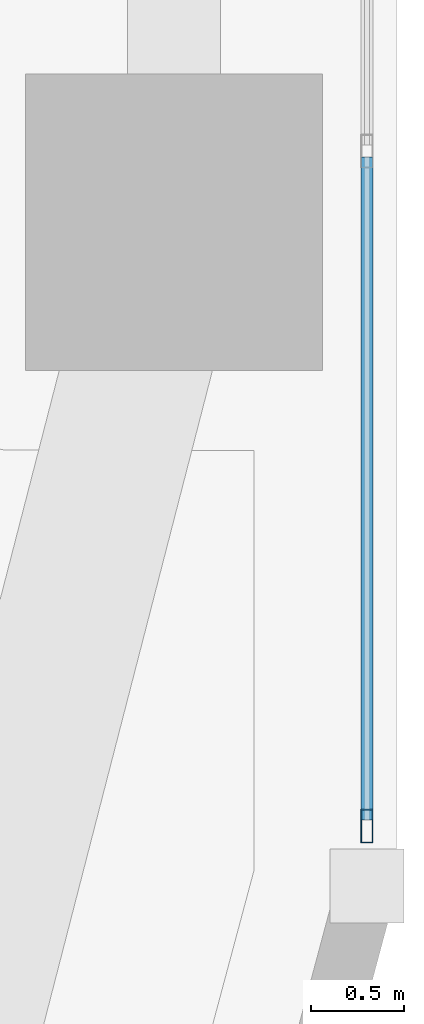
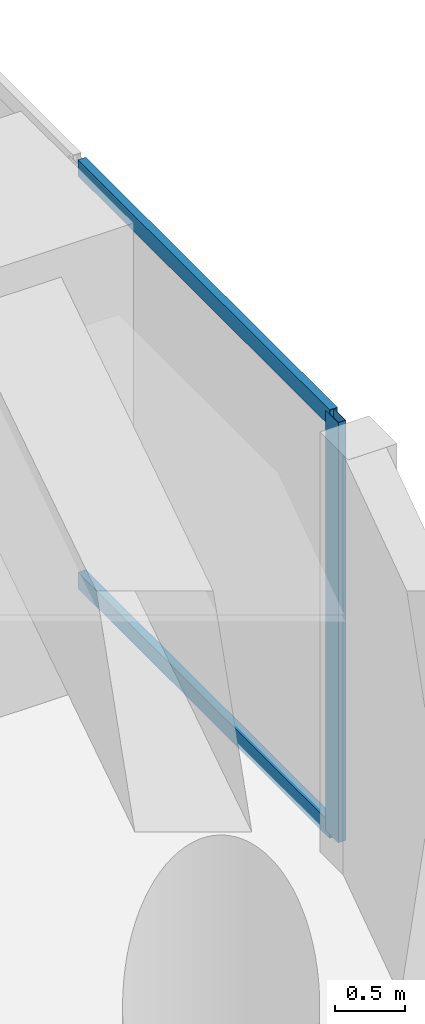
# One storey, part 4 of 28: 3 members, 1 element without a shape of its own.
"""IFC4 building model written with IfcOpenShell, lengths in metres."""

from ifc_helpers import new_model, si_unit, direction, frame, origin, origin_2d, place, context, subcontext, project, spatial, hollow_rectangle, extrude, material, layer, layer_set, material_profile, profile_set, type_object, element, aggregate, save


model = new_model("IFC4")

# Units and contexts
model_context = context("Model", 3, precision=1e-05, world=origin(), true_north=direction((0.0, 1.0)))
body_context = subcontext(model_context, "Body", "Model", "MODEL_VIEW")
ifc_project = project(units=[si_unit("LENGTHUNIT", "METRE"), si_unit("AREAUNIT", "SQUARE_METRE"), si_unit("VOLUMEUNIT", "CUBIC_METRE"), si_unit("PLANEANGLEUNIT", "RADIAN"), si_unit("MASSUNIT", "GRAM", prefix="KILO")], contexts=[model_context])

# Site, building, storey
site_placement = place(None, origin())
site = spatial("IfcSite", under=ifc_project, at=site_placement, CompositionType="ELEMENT")
building_placement = place(site_placement, origin())
building = spatial("IfcBuilding", under=site, at=building_placement, Name="Kiyonajd Concourse Tower", CompositionType="ELEMENT")
storey_placement = place(building_placement, frame((0.0, 0.0, 41.10009765625)))
storey = spatial("IfcBuildingStorey", under=building, at=storey_placement, Name="L11", CompositionType="ELEMENT", Elevation=41.10009765625)

# Curtain wall, members
ifc_material = material(Name="Thermally Broken Anodised Aluminium", Category="aluminium")
ifc_layer = layer(ifc_material, 0.179931640625)
ifc_layer_set = layer_set([ifc_layer], Name="Thermally Broken Anodised Aluminium")
curtain_wall_type = type_object("IfcCurtainWallType", Name="CW-SYS-02", PredefinedType="NOTDEFINED", material=ifc_layer_set)
curtain_wall_placement = place(storey_placement, origin())
curtain_wall = element("IfcCurtainWall", 1, at=curtain_wall_placement, inside=storey, type_object=curtain_wall_type, Name="L11 Unitised Curtain Wall CW2", PredefinedType="NOTDEFINED")
ifc_material_profile_1 = material_profile(ifc_material, hollow_rectangle(XDim=0.06494140625, YDim=0.179931640625, WallThickness=0.00390625, at=origin_2d()), Name="MULL-65x180")
ifc_profile_set_1 = profile_set([ifc_material_profile_1], Name="Thermally Broken Anodised Aluminium")
member_type_1 = type_object("IfcMemberType", Name="MB-CW-MULL1", PredefinedType="MULLION", material=ifc_profile_set_1)
member_1_placement = place(storey_placement, frame((79.0400390625, 15.343505859375, 0.0), z_axis=(0.0, 0.0, 1.0), x_axis=(1.0, 0.0, 0.0)))
member_1 = element("IfcMember", 2, at=member_1_placement, type_object=member_type_1, Name="CW2 mullion 7", PredefinedType="MULLION", context=body_context, shape_type="SweptSolid", body=[
    extrude(hollow_rectangle(XDim=0.06494140625, YDim=0.179931640625, WallThickness=0.00390625, at=origin_2d()), origin(), (0.0, 0.0, 1.0), 3.639892578125),
])
ifc_material_profile_2 = material_profile(ifc_material, hollow_rectangle(XDim=0.06494140625, YDim=0.139892578125, WallThickness=0.00390625, at=origin_2d()), Name="TRAN-65x140")
ifc_profile_set_2 = profile_set([ifc_material_profile_2], Name="Thermally Broken Anodised Aluminium")
member_type_2 = type_object("IfcMemberType", Name="MB-CW-TRAN1", PredefinedType="USERDEFINED", material=ifc_profile_set_2)
member_2_placement = place(storey_placement, frame((79.0400390625, 18.95166015625, 0.032470703125), z_axis=(0.0, -1.0, 0.0), x_axis=(1.0, 0.0, 0.0)))
member_2 = element("IfcMember", 3, at=member_2_placement, type_object=member_type_2, Name="CW2 transom 6.1", ObjectType="TRANSOM", PredefinedType="USERDEFINED", context=body_context, shape_type="SweptSolid", body=[
    extrude(hollow_rectangle(XDim=0.06494140625, YDim=0.139892578125, WallThickness=0.00390625, at=origin_2d()), origin(), (0.0, 0.0, 1.0), 3.575439453125),
])
member_3_placement = place(storey_placement, frame((79.0400390625, 18.95166015625, 3.607421875), z_axis=(0.0, -1.0, 0.0), x_axis=(1.0, 0.0, 0.0)))
member_3 = element("IfcMember", 4, at=member_3_placement, type_object=member_type_2, Name="CW2 transom 6.2", ObjectType="TRANSOM", PredefinedType="USERDEFINED", context=body_context, shape_type="SweptSolid", body=[
    extrude(hollow_rectangle(XDim=0.06494140625, YDim=0.139892578125, WallThickness=0.00390625, at=origin_2d()), origin(), (0.0, 0.0, 1.0), 3.575439453125),
])
aggregate(curtain_wall, [member_1, member_2, member_3])

save(model, "model.ifc")
